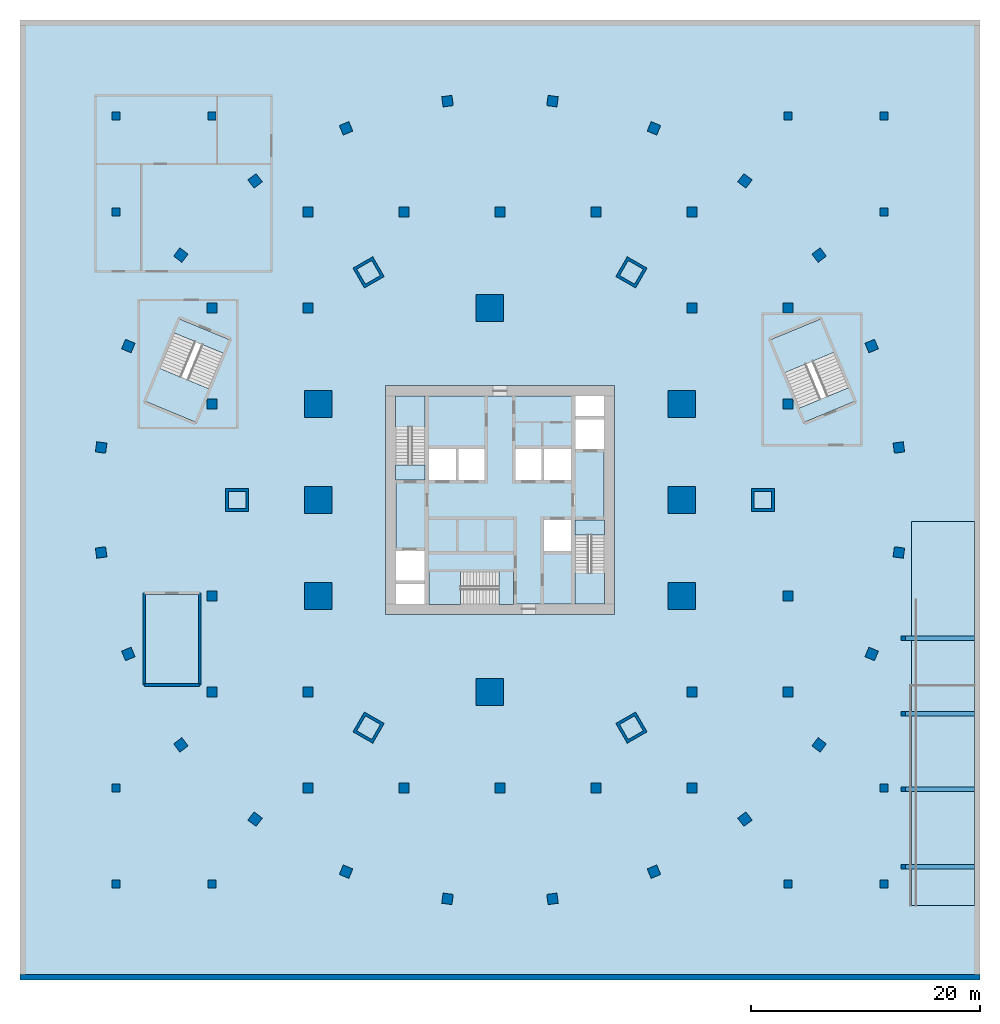
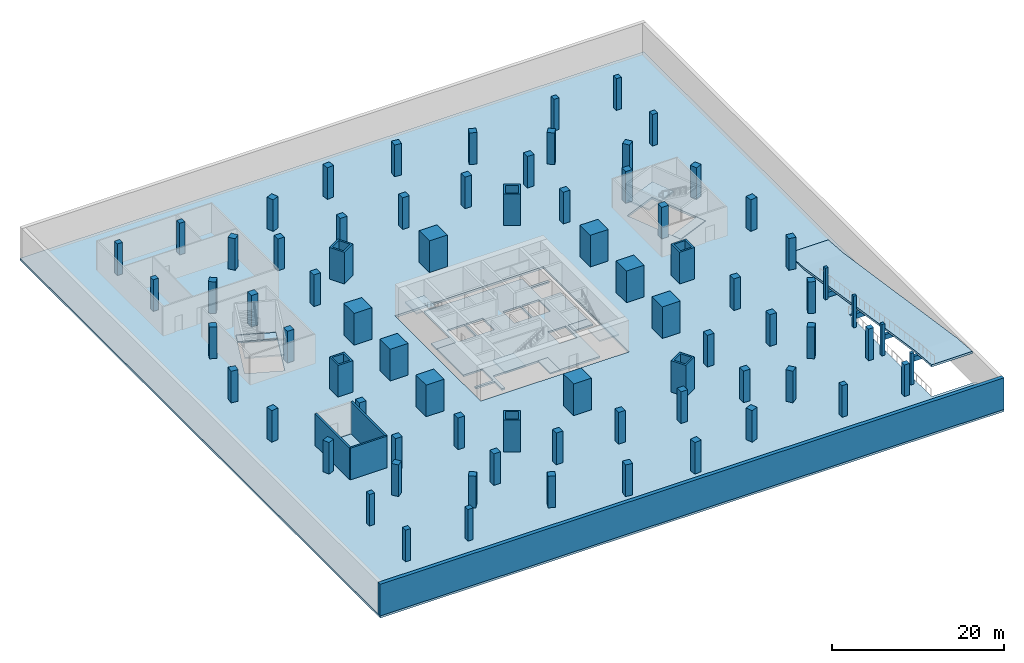
# One storey, part 1 of 9: 76 columns, 14 slabs, 4 beams, 4 walls, 5 elements without a shape of their own.
"""IFC4 building model written with IfcOpenShell, lengths in metres."""

from ifc_helpers import new_model, si_unit, direction, frame, frame_2d, origin, origin_2d, place, context, subcontext, project, spatial, polyline, rectangle, hollow_rectangle, outline, extrude, material, layer, layer_set, material_profile, profile_set, type_object, element, aggregate, save


model = new_model("IFC4")

# Units and contexts
model_context = context("Model", 3, precision=1e-05, world=origin(), true_north=direction((0.0, 1.0)))
body_context = subcontext(model_context, "Body", "Model", "MODEL_VIEW")
ifc_project = project(units=[si_unit("LENGTHUNIT", "METRE"), si_unit("AREAUNIT", "SQUARE_METRE"), si_unit("VOLUMEUNIT", "CUBIC_METRE"), si_unit("PLANEANGLEUNIT", "RADIAN"), si_unit("MASSUNIT", "GRAM", prefix="KILO")], contexts=[model_context])

# Site, building, storey
site_placement = place(None, origin())
site = spatial("IfcSite", under=ifc_project, at=site_placement, CompositionType="ELEMENT")
building_placement = place(site_placement, origin())
building = spatial("IfcBuilding", under=site, at=building_placement, Name="Golbaran Civic Tower", CompositionType="ELEMENT")
storey_placement = place(building_placement, frame((0.0, 0.0, -9.0)))
storey = spatial("IfcBuildingStorey", under=building, at=storey_placement, Name="B2", CompositionType="ELEMENT", Elevation=-9.0)

# Columns
ifc_material_1 = material(Name="Concrete C50/60", Category="concrete")
ifc_material_profile_1 = material_profile(ifc_material_1, rectangle(XDim=0.699951171875, YDim=0.699951171875, at=origin_2d()), Name="RC 700x700")
ifc_profile_set_1 = profile_set([ifc_material_profile_1], Name="Concrete C50/60")
column_type_1 = type_object("IfcColumnType", Name="BASEMENT COLUMN RC 700x700", PredefinedType="COLUMN", material=ifc_profile_set_1)
for number, where, z_axis, x_axis, name in (
    (1, (-33.60009765625, -33.60009765625, 0.0), (0.0, 0.0, 1.0), (1.0, 0.0, 0.0), "Column 2/B B2"),
    (2, (-33.60009765625, -25.199951171875, 0.0), (0.0, 0.0, 1.0), (1.0, 0.0, 0.0), "Column 2/C B2"),
    (3, (-33.60009765625, 25.199951171875, 0.0), (0.0, 0.0, 1.0), (1.0, 0.0, 0.0), "Column 2/J B2"),
    (4, (-33.60009765625, 33.60009765625, 0.0), (0.0, 0.0, 1.0), (1.0, 0.0, 0.0), "Column 2/K B2"),
    (5, (-25.199951171875, -33.60009765625, 0.0), (0.0, 0.0, 1.0), (1.0, 0.0, 0.0), "Column 3/B B2"),
    (6, (-25.199951171875, 33.60009765625, 0.0), (0.0, 0.0, 1.0), (1.0, 0.0, 0.0), "Column 3/K B2"),
    (7, (25.199951171875, -33.60009765625, 0.0), (0.0, 0.0, 1.0), (1.0, 0.0, 0.0), "Column 9/B B2"),
    (8, (25.199951171875, 33.60009765625, 0.0), (0.0, 0.0, 1.0), (1.0, 0.0, 0.0), "Column 9/K B2"),
    (9, (33.60009765625, -33.60009765625, 0.0), (0.0, 0.0, 1.0), (1.0, 0.0, 0.0), "Column 10/B B2"),
    (10, (33.60009765625, -25.199951171875, 0.0), (0.0, 0.0, 1.0), (1.0, 0.0, 0.0), "Column 10/C B2"),
    (11, (33.60009765625, 25.199951171875, 0.0), (0.0, 0.0, 1.0), (1.0, 0.0, 0.0), "Column 10/J B2"),
    (12, (33.60009765625, 33.60009765625, 0.0), (0.0, 0.0, 1.0), (1.0, 0.0, 0.0), "Column 10/K B2"),
):
    element("IfcColumn", number, at=place(storey_placement, frame(where, z_axis=z_axis, x_axis=x_axis)), inside=storey, type_object=column_type_1, Name=name, PredefinedType="COLUMN", context=body_context, shape_type="SweptSolid", body=[
        extrude(rectangle(XDim=0.699951171875, YDim=0.699951171875, at=origin_2d()), origin(), (0.0, 0.0, 1.0), 4.5),
    ])
ifc_material_2 = material(Name="Steel S355", Category="steel")
ifc_material_profile_2 = material_profile(ifc_material_2, hollow_rectangle(XDim=2.0, YDim=2.0, WallThickness=0.239990234375, at=origin_2d()), Name="BOX 2000x2000x240")
ifc_profile_set_2 = profile_set([ifc_material_profile_2], Name="Steel S355")
column_type_2 = type_object("IfcColumnType", Name="MEGA COLUMN BOX 2000x2000x240", PredefinedType="COLUMN", material=ifc_profile_set_2)
for number, where, z_axis, x_axis, name in (
    (13, (23.0, 0.0, 0.0), (0.0, 0.0, 1.0), (1.0, 0.0, 0.0), "Column mega 0 B2"),
    (14, (11.5, 19.918701171875, 0.0), (0.0, 0.0, 1.0), (0.5, 0.866025403784, 0.0), "Column mega 60 B2"),
    (15, (-11.5, 19.918701171875, 0.0), (0.0, 0.0, 1.0), (-0.5, 0.866025403784, 0.0), "Column mega 120 B2"),
    (16, (-23.0, 0.0, 0.0), (0.0, 0.0, 1.0), (-1.0, 0.0, 0.0), "Column mega 180 B2"),
    (17, (-11.5, -19.918701171875, 0.0), (0.0, 0.0, 1.0), (-0.5, -0.866025403784, 0.0), "Column mega 240 B2"),
    (18, (11.5, -19.918701171875, 0.0), (0.0, 0.0, 1.0), (0.5, -0.866025403784, 0.0), "Column mega 300 B2"),
):
    element("IfcColumn", number, at=place(storey_placement, frame(where, z_axis=z_axis, x_axis=x_axis)), inside=storey, type_object=column_type_2, Name=name, PredefinedType="COLUMN", context=body_context, shape_type="SweptSolid", body=[
        extrude(hollow_rectangle(XDim=2.0, YDim=2.0, WallThickness=0.239990234375, at=origin_2d()), origin(), (0.0, 0.0, 1.0), 4.5),
    ])
ifc_material_profile_3 = material_profile(ifc_material_1, rectangle(XDim=0.89990234375, YDim=0.89990234375, at=origin_2d()), Name="RC 900x900")
ifc_profile_set_3 = profile_set([ifc_material_profile_3], Name="Concrete C50/60")
column_type_3 = type_object("IfcColumnType", Name="PODIUM COLUMN RC 900x900", PredefinedType="COLUMN", material=ifc_profile_set_3)
for number, where, z_axis, x_axis, name in (
    (19, (-25.199951171875, -16.800048828125, 0.0), (0.0, 0.0, 1.0), (1.0, 0.0, 0.0), "Column 3/D B2"),
    (20, (-25.199951171875, -8.39990234375, 0.0), (0.0, 0.0, 1.0), (1.0, 0.0, 0.0), "Column 3/E B2"),
    (21, (-25.199951171875, 8.39990234375, 0.0), (0.0, 0.0, 1.0), (1.0, 0.0, 0.0), "Column 3/G B2"),
    (22, (-25.199951171875, 16.800048828125, 0.0), (0.0, 0.0, 1.0), (1.0, 0.0, 0.0), "Column 3/H B2"),
    (23, (-16.800048828125, -25.199951171875, 0.0), (0.0, 0.0, 1.0), (1.0, 0.0, 0.0), "Column 4/C B2"),
    (24, (-16.800048828125, -16.800048828125, 0.0), (0.0, 0.0, 1.0), (1.0, 0.0, 0.0), "Column 4/D B2"),
    (25, (-16.800048828125, 16.800048828125, 0.0), (0.0, 0.0, 1.0), (1.0, 0.0, 0.0), "Column 4/H B2"),
    (26, (-16.800048828125, 25.199951171875, 0.0), (0.0, 0.0, 1.0), (1.0, 0.0, 0.0), "Column 4/J B2"),
    (27, (-8.39990234375, -25.199951171875, 0.0), (0.0, 0.0, 1.0), (1.0, 0.0, 0.0), "Column 5/C B2"),
    (28, (-8.39990234375, 25.199951171875, 0.0), (0.0, 0.0, 1.0), (1.0, 0.0, 0.0), "Column 5/J B2"),
    (29, (0.0, -25.199951171875, 0.0), (0.0, 0.0, 1.0), (1.0, 0.0, 0.0), "Column 6/C B2"),
    (30, (0.0, 25.199951171875, 0.0), (0.0, 0.0, 1.0), (1.0, 0.0, 0.0), "Column 6/J B2"),
    (31, (8.39990234375, -25.199951171875, 0.0), (0.0, 0.0, 1.0), (1.0, 0.0, 0.0), "Column 7/C B2"),
    (32, (8.39990234375, 25.199951171875, 0.0), (0.0, 0.0, 1.0), (1.0, 0.0, 0.0), "Column 7/J B2"),
    (33, (16.800048828125, -25.199951171875, 0.0), (0.0, 0.0, 1.0), (1.0, 0.0, 0.0), "Column 8/C B2"),
    (34, (16.800048828125, -16.800048828125, 0.0), (0.0, 0.0, 1.0), (1.0, 0.0, 0.0), "Column 8/D B2"),
    (35, (16.800048828125, 16.800048828125, 0.0), (0.0, 0.0, 1.0), (1.0, 0.0, 0.0), "Column 8/H B2"),
    (36, (16.800048828125, 25.199951171875, 0.0), (0.0, 0.0, 1.0), (1.0, 0.0, 0.0), "Column 8/J B2"),
    (37, (25.199951171875, -16.800048828125, 0.0), (0.0, 0.0, 1.0), (1.0, 0.0, 0.0), "Column 9/D B2"),
    (38, (25.199951171875, -8.39990234375, 0.0), (0.0, 0.0, 1.0), (1.0, 0.0, 0.0), "Column 9/E B2"),
    (39, (25.199951171875, 8.39990234375, 0.0), (0.0, 0.0, 1.0), (1.0, 0.0, 0.0), "Column 9/G B2"),
    (40, (25.199951171875, 16.800048828125, 0.0), (0.0, 0.0, 1.0), (1.0, 0.0, 0.0), "Column 9/H B2"),
):
    element("IfcColumn", number, at=place(storey_placement, frame(where, z_axis=z_axis, x_axis=x_axis)), inside=storey, type_object=column_type_3, Name=name, PredefinedType="COLUMN", context=body_context, shape_type="SweptSolid", body=[
        extrude(rectangle(XDim=0.89990234375, YDim=0.89990234375, at=origin_2d()), origin(), (0.0, 0.0, 1.0), 4.5),
    ])
ifc_material_profile_4 = material_profile(ifc_material_1, rectangle(XDim=2.39990234375, YDim=2.39990234375, at=origin_2d()), Name="RC 2400x2400")
ifc_profile_set_4 = profile_set([ifc_material_profile_4], Name="Concrete C50/60")
column_type_4 = type_object("IfcColumnType", Name="PODIUM COLUMN UNDER TOWER RC 2400x2400", PredefinedType="COLUMN", material=ifc_profile_set_4)
for number, where, z_axis, x_axis, name in (
    (41, (-15.89990234375, -8.39990234375, 0.0), (0.0, 0.0, 1.0), (1.0, 0.0, 0.0), "Column 4/E B2"),
    (42, (-15.89990234375, 0.0, 0.0), (0.0, 0.0, 1.0), (1.0, 0.0, 0.0), "Column 4/F B2"),
    (43, (-15.89990234375, 8.39990234375, 0.0), (0.0, 0.0, 1.0), (1.0, 0.0, 0.0), "Column 4/G B2"),
    (44, (-0.89990234375, -16.800048828125, 0.0), (0.0, 0.0, 1.0), (1.0, 0.0, 0.0), "Column 6/D B2"),
    (45, (-0.89990234375, 16.800048828125, 0.0), (0.0, 0.0, 1.0), (1.0, 0.0, 0.0), "Column 6/H B2"),
    (46, (15.89990234375, -8.39990234375, 0.0), (0.0, 0.0, 1.0), (1.0, 0.0, 0.0), "Column 8/E B2"),
    (47, (15.89990234375, 0.0, 0.0), (0.0, 0.0, 1.0), (1.0, 0.0, 0.0), "Column 8/F B2"),
    (48, (15.89990234375, 8.39990234375, 0.0), (0.0, 0.0, 1.0), (1.0, 0.0, 0.0), "Column 8/G B2"),
):
    element("IfcColumn", number, at=place(storey_placement, frame(where, z_axis=z_axis, x_axis=x_axis)), inside=storey, type_object=column_type_4, Name=name, PredefinedType="COLUMN", context=body_context, shape_type="SweptSolid", body=[
        extrude(rectangle(XDim=2.39990234375, YDim=2.39990234375, at=origin_2d()), origin(), (0.0, 0.0, 1.0), 4.5),
    ])
ifc_material_profile_5 = material_profile(ifc_material_1, rectangle(XDim=0.89990234375, YDim=0.89990234375, at=origin_2d()), Name="RC 900x900")
ifc_profile_set_5 = profile_set([ifc_material_profile_5], Name="Concrete C50/60")
column_type_5 = type_object("IfcColumnType", Name="PODIUM EDGE COLUMN RC 900x900", PredefinedType="COLUMN", material=ifc_profile_set_5)
for number, where, z_axis, x_axis, name in (
    (49, (34.89892578125, 4.594482421875, 0.0), (0.0, 0.0, 1.0), (0.991444861374, 0.13052619222, 0.0), "Column edge 7.5 B2"),
    (50, (32.5205078125, 13.470458984375, 0.0), (0.0, 0.0, 1.0), (0.923879532511, 0.382683432365, 0.0), "Column edge 22.5 B2"),
    (51, (27.926025390625, 21.428466796875, 0.0), (0.0, 0.0, 1.0), (0.793353340291, 0.608761429009, 0.0), "Column edge 37.5 B2"),
    (52, (21.428466796875, 27.926025390625, 0.0), (0.0, 0.0, 1.0), (0.608761429009, 0.793353340291, 0.0), "Column edge 52.5 B2"),
    (53, (13.470458984375, 32.5205078125, 0.0), (0.0, 0.0, 1.0), (0.382683432365, 0.923879532511, 0.0), "Column edge 67.5 B2"),
    (54, (4.594482421875, 34.89892578125, 0.0), (0.0, 0.0, 1.0), (0.13052619222, 0.991444861374, 0.0), "Column edge 82.5 B2"),
    (55, (-4.594482421875, 34.89892578125, 0.0), (0.0, 0.0, 1.0), (-0.13052619222, 0.991444861374, 0.0), "Column edge 97.5 B2"),
    (56, (-13.470458984375, 32.5205078125, 0.0), (0.0, 0.0, 1.0), (-0.382683432365, 0.923879532511, 0.0), "Column edge 112.5 B2"),
    (57, (-21.428466796875, 27.926025390625, 0.0), (0.0, 0.0, 1.0), (-0.608761429009, 0.793353340291, 0.0), "Column edge 127.5 B2"),
    (58, (-27.926025390625, 21.428466796875, 0.0), (0.0, 0.0, 1.0), (-0.793353340291, 0.608761429009, 0.0), "Column edge 142.5 B2"),
    (59, (-32.5205078125, 13.470458984375, 0.0), (0.0, 0.0, 1.0), (-0.923879532511, 0.382683432365, 0.0), "Column edge 157.5 B2"),
    (60, (-34.89892578125, 4.594482421875, 0.0), (0.0, 0.0, 1.0), (-0.991444861374, 0.13052619222, 0.0), "Column edge 172.5 B2"),
    (61, (-34.89892578125, -4.594482421875, 0.0), (0.0, 0.0, 1.0), (-0.991444861374, -0.13052619222, 0.0), "Column edge 187.5 B2"),
    (62, (-32.5205078125, -13.470458984375, 0.0), (0.0, 0.0, 1.0), (-0.923879532511, -0.382683432365, 0.0), "Column edge 202.5 B2"),
    (63, (-27.926025390625, -21.428466796875, 0.0), (0.0, 0.0, 1.0), (-0.793353340291, -0.608761429009, 0.0), "Column edge 217.5 B2"),
    (64, (-21.428466796875, -27.926025390625, 0.0), (0.0, 0.0, 1.0), (-0.608761429009, -0.793353340291, 0.0), "Column edge 232.5 B2"),
    (65, (-13.470458984375, -32.5205078125, 0.0), (0.0, 0.0, 1.0), (-0.382683432365, -0.923879532511, 0.0), "Column edge 247.5 B2"),
    (66, (-4.594482421875, -34.89892578125, 0.0), (0.0, 0.0, 1.0), (-0.13052619222, -0.991444861374, 0.0), "Column edge 262.5 B2"),
    (67, (4.594482421875, -34.89892578125, 0.0), (0.0, 0.0, 1.0), (0.13052619222, -0.991444861374, 0.0), "Column edge 277.5 B2"),
    (68, (13.470458984375, -32.5205078125, 0.0), (0.0, 0.0, 1.0), (0.382683432365, -0.923879532511, 0.0), "Column edge 292.5 B2"),
    (69, (21.428466796875, -27.926025390625, 0.0), (0.0, 0.0, 1.0), (0.608761429009, -0.793353340291, 0.0), "Column edge 307.5 B2"),
    (70, (27.926025390625, -21.428466796875, 0.0), (0.0, 0.0, 1.0), (0.793353340291, -0.608761429009, 0.0), "Column edge 322.5 B2"),
    (71, (32.5205078125, -13.470458984375, 0.0), (0.0, 0.0, 1.0), (0.923879532511, -0.382683432365, 0.0), "Column edge 337.5 B2"),
    (72, (34.89892578125, -4.594482421875, 0.0), (0.0, 0.0, 1.0), (0.991444861374, -0.13052619222, 0.0), "Column edge 352.5 B2"),
):
    element("IfcColumn", number, at=place(storey_placement, frame(where, z_axis=z_axis, x_axis=x_axis)), inside=storey, type_object=column_type_5, Name=name, PredefinedType="COLUMN", context=body_context, shape_type="SweptSolid", body=[
        extrude(rectangle(XDim=0.89990234375, YDim=0.89990234375, at=origin_2d()), origin(), (0.0, 0.0, 1.0), 4.5),
    ])
ifc_material_profile_6 = material_profile(ifc_material_1, rectangle(XDim=0.39990234375, YDim=0.39990234375, at=origin_2d()), Name="RC 400x400")
ifc_profile_set_6 = profile_set([ifc_material_profile_6], Name="Concrete C50/60")
column_type_6 = type_object("IfcColumnType", Name="RAMP COLUMN RC 400x400", PredefinedType="COLUMN", material=ifc_profile_set_6)
for number, where, z_axis, x_axis, name in (
    (73, (35.280029296875, -32.10009765625, 0.0), (0.0, 0.0, 1.0), (1.0, 0.0, 0.0), "Ramp column 1 B2"),
    (74, (35.280029296875, -25.300048828125, 0.0), (0.0, 0.0, 1.0), (1.0, 0.0, 0.0), "Ramp column 2 B2"),
    (75, (35.280029296875, -18.699951171875, 0.0), (0.0, 0.0, 1.0), (1.0, 0.0, 0.0), "Ramp column 3 B2"),
    (76, (35.280029296875, -12.10009765625, 0.0), (0.0, 0.0, 1.0), (1.0, 0.0, 0.0), "Ramp column 4 B2"),
):
    element("IfcColumn", number, at=place(storey_placement, frame(where, z_axis=z_axis, x_axis=x_axis)), inside=storey, type_object=column_type_6, Name=name, PredefinedType="COLUMN", context=body_context, shape_type="SweptSolid", body=[
        extrude(rectangle(XDim=0.39990234375, YDim=0.39990234375, at=origin_2d()), origin(), (0.0, 0.0, 1.0), 4.5),
    ])

# Beams
ifc_material_profile_7 = material_profile(ifc_material_1, rectangle(XDim=0.39990234375, YDim=0.699951171875, at=origin_2d()), Name="RC 400x700")
ifc_profile_set_7 = profile_set([ifc_material_profile_7], Name="Concrete C50/60")
beam_type = type_object("IfcBeamType", Name="RAMP BEAM RC 400x700", PredefinedType="BEAM", material=ifc_profile_set_7)
for number, where, z_axis, x_axis, name in (
    (77, (35.280029296875, -32.10009765625, 3.580078125), (1.0, 0.0, 0.0), (0.0, 1.0, 0.0), "Ramp beam 1 B2"),
    (78, (35.280029296875, -25.300048828125, 2.56005859375), (1.0, 0.0, 0.0), (0.0, 1.0, 0.0), "Ramp beam 2 B2"),
    (79, (35.280029296875, -18.699951171875, 1.570068359375), (1.0, 0.0, 0.0), (0.0, 1.0, 0.0), "Ramp beam 3 B2"),
    (80, (35.280029296875, -12.10009765625, 0.580078125), (1.0, 0.0, 0.0), (0.0, 1.0, 0.0), "Ramp beam 4 B2"),
):
    element("IfcBeam", number, at=place(storey_placement, frame(where, z_axis=z_axis, x_axis=x_axis)), inside=storey, type_object=beam_type, Name=name, PredefinedType="BEAM", context=body_context, shape_type="SweptSolid", body=[
        extrude(rectangle(XDim=0.39990234375, YDim=0.699951171875, at=origin_2d()), origin(), (0.0, 0.0, 1.0), 6.219970703125),
    ])

# Slabs
ifc_material_3 = material(Name="Concrete C35/45", Category="concrete")
ifc_layer_1 = layer(ifc_material_3, 0.300048828125, Name="Concrete C35/45")
ifc_layer_set_1 = layer_set([ifc_layer_1], Name="Concrete C35/45")
slab_type_1 = type_object("IfcSlabType", Name="BASEMENT FLOOR SLAB 300", PredefinedType="FLOOR", material=ifc_layer_set_1)
slab_1_placement = place(storey_placement, frame((0.0, 0.0, -0.300048828125)))
element("IfcSlab", 81, at=slab_1_placement, inside=storey, type_object=slab_type_1, Name="Basement floor slab B2", PredefinedType="FLOOR", context=body_context, shape_type="SweptSolid", body=[
    extrude(outline(polyline([(42.0, -16.300048828125), (36.0, -16.300048828125), (36.0, -35.5), (42.0, -35.5), (42.0, -42.0), (-42.0, -42.0), (-42.0, 42.0), (42.0, 42.0), (42.0, -16.300048828125)]), holes=[polyline([(31.042724609375, 8.572021484375), (28.01171875, 15.88916015625), (23.651123046875, 14.082763671875), (26.681884765625, 6.765625), (31.042724609375, 8.572021484375)]), polyline([(10.0, -10.0), (10.0, 10.0), (-10.0, 10.0), (-10.0, -10.0), (10.0, -10.0)]), polyline([(-28.01171875, 15.88916015625), (-31.042724609375, 8.572021484375), (-26.681884765625, 6.765625), (-23.651123046875, 14.082763671875), (-28.01171875, 15.88916015625)]), polyline([(-31.06005859375, -16.110107421875), (-26.340087890625, -16.110107421875), (-26.340087890625, -8.18994140625), (-31.06005859375, -8.18994140625), (-31.06005859375, -16.110107421875)])]), origin(), (0.0, 0.0, 1.0), 0.300048828125),
])
slab_2_placement = place(storey_placement, frame((0.0, 0.0, -0.300048828125)))
element("IfcSlab", 82, at=slab_2_placement, inside=storey, type_object=slab_type_1, Name="P3 enclosure floor slab B2", PredefinedType="FLOOR", context=body_context, shape_type="SweptSolid", body=[
    extrude(outline(polyline([(-26.39990234375, -16.050048828125), (-31.0, -16.050048828125), (-31.0, -8.25), (-26.39990234375, -8.25), (-26.39990234375, -16.050048828125)])), origin(), (0.0, 0.0, 1.0), 0.300048828125),
])
ifc_layer_2 = layer(ifc_material_3, 0.25, Name="Concrete C35/45")
ifc_layer_set_2 = layer_set([ifc_layer_2], Name="Concrete C35/45")
slab_type_2 = type_object("IfcSlabType", Name="CORE FLOOR SLAB 250", PredefinedType="FLOOR", material=ifc_layer_set_2)
slab_3_placement = place(storey_placement, frame((0.0, 0.0, -0.25)))
element("IfcSlab", 83, at=slab_3_placement, inside=storey, type_object=slab_type_2, Name="Core floor slab B2", PredefinedType="FLOOR", context=body_context, shape_type="SweptSolid", body=[
    extrude(outline(polyline([(6.60009765625, -1.75), (6.60009765625, -9.10009765625), (1.199951171875, -9.10009765625), (1.199951171875, -6.300048828125), (-6.199951171875, -6.300048828125), (-6.199951171875, -9.10009765625), (-6.60009765625, -9.10009765625), (-6.60009765625, -7.35009765625), (-9.10009765625, -7.35009765625), (-9.10009765625, -7.050048828125), (-6.60009765625, -7.050048828125), (-6.60009765625, -4.449951171875), (-9.10009765625, -4.449951171875), (-9.10009765625, 1.75), (-6.60009765625, 1.75), (-6.60009765625, 9.10009765625), (6.60009765625, 9.10009765625), (6.60009765625, 7.35009765625), (9.10009765625, 7.35009765625), (9.10009765625, 7.050048828125), (6.60009765625, 7.050048828125), (6.60009765625, 4.449951171875), (9.10009765625, 4.449951171875), (9.10009765625, -1.75), (6.60009765625, -1.75)]), holes=[polyline([(6.199951171875, -1.75), (3.85009765625, -1.75), (3.85009765625, -4.449951171875), (6.199951171875, -4.449951171875), (6.199951171875, -1.75)]), polyline([(3.85009765625, 4.449951171875), (3.85009765625, 1.75), (6.199951171875, 1.75), (6.199951171875, 4.449951171875), (3.85009765625, 4.449951171875)]), polyline([(3.64990234375, 4.449951171875), (1.35009765625, 4.449951171875), (1.35009765625, 1.75), (3.64990234375, 1.75), (3.64990234375, 4.449951171875)]), polyline([(-1.35009765625, 4.449951171875), (-3.64990234375, 4.449951171875), (-3.64990234375, 1.75), (-1.35009765625, 1.75), (-1.35009765625, 4.449951171875)]), polyline([(-6.199951171875, 4.449951171875), (-6.199951171875, 1.75), (-3.85009765625, 1.75), (-3.85009765625, 4.449951171875), (-6.199951171875, 4.449951171875)])]), origin(), (0.0, 0.0, 1.0), 0.25),
])

# Stair, slab
stair_type_1 = type_object("IfcStairType", Name="EXIT STAIR 2500 x 7350, 4500 RISE", PredefinedType="HALF_TURN_STAIR", material=ifc_material_3)
stair_1_placement = place(storey_placement, origin())
stair_1 = element("IfcStair", 84, at=stair_1_placement, inside=storey, type_object=stair_type_1, Name="Stair S1 B2", PredefinedType="HALF_TURN_STAIR")
ifc_layer_3 = layer(ifc_material_3, 0.199951171875, Name="Concrete C35/45")
ifc_layer_set_3 = layer_set([ifc_layer_3], Name="Concrete C35/45")
slab_type_3 = type_object("IfcSlabType", Name="STAIR LANDING 200", PredefinedType="LANDING", material=ifc_layer_set_3)
slab_4_placement = place(storey_placement, frame((0.0, 0.0, 2.050048828125)))
slab_4 = element("IfcSlab", 85, at=slab_4_placement, type_object=slab_type_3, Name="ST25074-45 landing 1", PredefinedType="LANDING", context=body_context, shape_type="SweptSolid", body=[
    extrude(outline(polyline([(-9.14990234375, 6.405029296875), (-9.14990234375, 9.10009765625), (-6.550048828125, 9.10009765625), (-6.550048828125, 6.405029296875), (-9.14990234375, 6.405029296875)])), origin(), (0.0, 0.0, 1.0), 0.199951171875),
])
aggregate(stair_1, [slab_4])

# Slab
slab_5_placement = place(storey_placement, frame((0.0, 0.0, -0.199951171875)))
element("IfcSlab", 86, at=slab_5_placement, inside=storey, type_object=slab_type_3, Name="Stair S1 floor landing B2", PredefinedType="LANDING", context=body_context, shape_type="SweptSolid", body=[
    extrude(outline(polyline([(-9.14990234375, 1.75), (-9.14990234375, 3.054931640625), (-6.550048828125, 3.054931640625), (-6.550048828125, 1.75), (-9.14990234375, 1.75)])), origin(), (0.0, 0.0, 1.0), 0.199951171875),
])

# Stair, slab
stair_2_placement = place(storey_placement, origin())
stair_2 = element("IfcStair", 87, at=stair_2_placement, inside=storey, type_object=stair_type_1, Name="Stair S2 B2", PredefinedType="HALF_TURN_STAIR")
slab_6_placement = place(storey_placement, frame((0.0, 0.0, 2.050048828125)))
slab_6 = element("IfcSlab", 88, at=slab_6_placement, type_object=slab_type_3, Name="ST25074-45 landing 1", PredefinedType="LANDING", context=body_context, shape_type="SweptSolid", body=[
    extrude(outline(polyline([(9.14990234375, -6.405029296875), (9.14990234375, -9.10009765625), (6.550048828125, -9.10009765625), (6.550048828125, -6.405029296875), (9.14990234375, -6.405029296875)])), origin(), (0.0, 0.0, 1.0), 0.199951171875),
])
aggregate(stair_2, [slab_6])

# Slab
slab_7_placement = place(storey_placement, frame((0.0, 0.0, -0.199951171875)))
element("IfcSlab", 89, at=slab_7_placement, inside=storey, type_object=slab_type_3, Name="Stair S2 floor landing B2", PredefinedType="LANDING", context=body_context, shape_type="SweptSolid", body=[
    extrude(outline(polyline([(9.14990234375, -1.75), (9.14990234375, -3.054931640625), (6.550048828125, -3.054931640625), (6.550048828125, -1.75), (9.14990234375, -1.75)])), origin(), (0.0, 0.0, 1.0), 0.199951171875),
])

# Stair, slab
stair_type_2 = type_object("IfcStairType", Name="EXIT STAIR 2800 x 7400, 4500 RISE", PredefinedType="HALF_TURN_STAIR", material=ifc_material_3)
stair_3_placement = place(storey_placement, origin())
stair_3 = element("IfcStair", 90, at=stair_3_placement, inside=storey, type_object=stair_type_2, Name="Stair S3 B2", PredefinedType="HALF_TURN_STAIR")
slab_8_placement = place(storey_placement, frame((0.0, 0.0, 2.050048828125)))
slab_8 = element("IfcSlab", 91, at=slab_8_placement, type_object=slab_type_3, Name="ST28074-45 landing 1", PredefinedType="LANDING", context=body_context, shape_type="SweptSolid", body=[
    extrude(outline(polyline([(-3.455078125, -9.14990234375), (-6.199951171875, -9.14990234375), (-6.199951171875, -6.25), (-3.455078125, -6.25), (-3.455078125, -9.14990234375)])), origin(), (0.0, 0.0, 1.0), 0.199951171875),
])
aggregate(stair_3, [slab_8])

# Slab
slab_9_placement = place(storey_placement, frame((0.0, 0.0, -0.199951171875)))
element("IfcSlab", 92, at=slab_9_placement, inside=storey, type_object=slab_type_3, Name="Stair S3 floor landing B2", PredefinedType="LANDING", context=body_context, shape_type="SweptSolid", body=[
    extrude(outline(polyline([(1.199951171875, -9.14990234375), (-0.10498046875, -9.14990234375), (-0.10498046875, -6.25), (1.199951171875, -6.25), (1.199951171875, -9.14990234375)])), origin(), (0.0, 0.0, 1.0), 0.199951171875),
])

# Stair, slab
stair_type_3 = type_object("IfcStairType", Name="EXIT STAIR 4600 x 7800, 4500 RISE", PredefinedType="HALF_TURN_STAIR", material=ifc_material_3)
stair_4_placement = place(storey_placement, origin())
stair_4 = element("IfcStair", 93, at=stair_4_placement, inside=storey, type_object=stair_type_3, Name="Stair P1 B2", PredefinedType="HALF_TURN_STAIR")
slab_10_placement = place(storey_placement, frame((0.0, 0.0, 2.050048828125)))
slab_10 = element("IfcSlab", 94, at=slab_10_placement, type_object=slab_type_3, Name="ST46078-45 landing 1", PredefinedType="LANDING", context=body_context, shape_type="SweptSolid", body=[
    extrude(outline(polyline([(24.88671875, 11.125732421875), (23.683349609375, 14.03125), (28.025390625, 15.829833984375), (29.22900390625, 12.92431640625), (24.88671875, 11.125732421875)])), origin(), (0.0, 0.0, 1.0), 0.199951171875),
])
aggregate(stair_4, [slab_10])

# Slab
slab_11_placement = place(storey_placement, frame((0.0, 0.0, -0.199951171875)))
element("IfcSlab", 95, at=slab_11_placement, inside=storey, type_object=slab_type_3, Name="Stair P1 floor landing B2", PredefinedType="LANDING", context=body_context, shape_type="SweptSolid", body=[
    extrude(outline(polyline([(26.668212890625, 6.824951171875), (26.168701171875, 8.03076171875), (30.510986328125, 9.829345703125), (31.010498046875, 8.62353515625), (26.668212890625, 6.824951171875)])), origin(), (0.0, 0.0, 1.0), 0.199951171875),
])

# Stair, slab
stair_5_placement = place(storey_placement, origin())
stair_5 = element("IfcStair", 96, at=stair_5_placement, inside=storey, type_object=stair_type_3, Name="Stair P2 B2", PredefinedType="HALF_TURN_STAIR")
slab_12_placement = place(storey_placement, frame((0.0, 0.0, 2.050048828125)))
slab_12 = element("IfcSlab", 97, at=slab_12_placement, type_object=slab_type_3, Name="ST46078-45 landing 1", PredefinedType="LANDING", context=body_context, shape_type="SweptSolid", body=[
    extrude(outline(polyline([(-25.464599609375, 9.730712890625), (-26.668212890625, 6.824951171875), (-31.010498046875, 8.62353515625), (-29.806884765625, 11.529296875), (-25.464599609375, 9.730712890625)])), origin(), (0.0, 0.0, 1.0), 0.199951171875),
])
aggregate(stair_5, [slab_12])

# Slabs
slab_13_placement = place(storey_placement, frame((0.0, 0.0, -0.199951171875)))
element("IfcSlab", 98, at=slab_13_placement, inside=storey, type_object=slab_type_3, Name="Stair P2 floor landing B2", PredefinedType="LANDING", context=body_context, shape_type="SweptSolid", body=[
    extrude(outline(polyline([(-23.683349609375, 14.03125), (-24.1826171875, 12.82568359375), (-28.52490234375, 14.624267578125), (-28.025390625, 15.829833984375), (-23.683349609375, 14.03125)])), origin(), (0.0, 0.0, 1.0), 0.199951171875),
])
ifc_layer_4 = layer(ifc_material_3, 0.300048828125, Name="Concrete C35/45")
ifc_layer_set_4 = layer_set([ifc_layer_4], Name="Concrete C35/45")
slab_type_4 = type_object("IfcSlabType", Name="VEHICLE RAMP SLAB 300", PredefinedType="FLOOR", material=ifc_layer_set_4)
slab_14_placement = place(storey_placement, frame((36.0, -35.5, 9.0), z_axis=(0.0, 0.0, 1.0), x_axis=(0.0, 1.0, 0.0)))
element("IfcSlab", 99, at=slab_14_placement, inside=storey, type_object=slab_type_4, Name="Vehicle ramp B1 to B2", PredefinedType="FLOOR", context=body_context, shape_type="SweptSolid", body=[
    extrude(outline(polyline([(0.0, -4.5), (3.60009765625, -4.77001953125), (30.0, -8.72998046875), (33.60009765625, -9.0), (33.60009765625, -9.300048828125), (30.0, -9.030029296875), (3.60009765625, -5.070068359375), (0.0, -4.800048828125), (0.0, -4.5)])), frame((0.0, 0.0, 0.0), z_axis=(0.0, -1.0, 0.0), x_axis=(1.0, 0.0, 0.0)), (0.0, 0.0, 1.0), 5.5),
])

# Walls
ifc_layer_5 = layer(ifc_material_1, 0.5, Name="Concrete C50/60")
ifc_layer_set_5 = layer_set([ifc_layer_5], Name="Concrete C50/60")
wall_type_1 = type_object("IfcWallType", Name="BASEMENT RETAINING WALL CONCRETE 500", PredefinedType="SOLIDWALL", material=ifc_layer_set_5)
wall_1_placement = place(storey_placement, frame((42.0, -41.75, 0.0), z_axis=(0.0, 0.0, 1.0), x_axis=(-1.0, 0.0, 0.0)))
element("IfcWall", 100, at=wall_1_placement, inside=storey, type_object=wall_type_1, Name="Basement retaining wall S B2", PredefinedType="SOLIDWALL", context=body_context, shape_type="SweptSolid", body=[
    extrude(rectangle(XDim=84.0, YDim=0.5, at=frame_2d((42.0, 0.0))), origin(), (0.0, 0.0, 1.0), 4.5),
])
ifc_layer_6 = layer(ifc_material_1, 0.25, Name="Concrete C50/60")
ifc_layer_set_6 = layer_set([ifc_layer_6], Name="Concrete C50/60")
wall_type_2 = type_object("IfcWallType", Name="STAIR ENCLOSURE WALL CONCRETE 250", PredefinedType="SOLIDWALL", material=ifc_layer_set_6)
wall_2_placement = place(storey_placement, frame((-26.27490234375, -8.125, 0.0), z_axis=(0.0, 0.0, 1.0), x_axis=(0.0, -1.0, 0.0)))
element("IfcWall", 101, at=wall_2_placement, inside=storey, type_object=wall_type_2, Name="P3 enclosure B B2", PredefinedType="SOLIDWALL", context=body_context, shape_type="SweptSolid", body=[
    extrude(rectangle(XDim=8.050048828125, YDim=0.25, at=frame_2d((4.02490234375, 0.0))), origin(), (0.0, 0.0, 1.0), 4.5),
])
wall_3_placement = place(storey_placement, frame((-26.27490234375, -16.175048828125, 0.0), z_axis=(0.0, 0.0, 1.0), x_axis=(-1.0, 0.0, 0.0)))
element("IfcWall", 102, at=wall_3_placement, inside=storey, type_object=wall_type_2, Name="P3 enclosure C B2", PredefinedType="SOLIDWALL", context=body_context, shape_type="SweptSolid", body=[
    extrude(rectangle(XDim=4.85009765625, YDim=0.25, at=frame_2d((2.425048828125, 0.0))), origin(), (0.0, 0.0, 1.0), 4.5),
])
wall_4_placement = place(storey_placement, frame((-31.125, -16.175048828125, 0.0), z_axis=(0.0, 0.0, 1.0), x_axis=(0.0, 1.0, 0.0)))
element("IfcWall", 103, at=wall_4_placement, inside=storey, type_object=wall_type_2, Name="P3 enclosure D B2", PredefinedType="SOLIDWALL", context=body_context, shape_type="SweptSolid", body=[
    extrude(rectangle(XDim=8.050048828125, YDim=0.25, at=frame_2d((4.02490234375, 0.0))), origin(), (0.0, 0.0, 1.0), 4.5),
])

save(model, "model.ifc")
